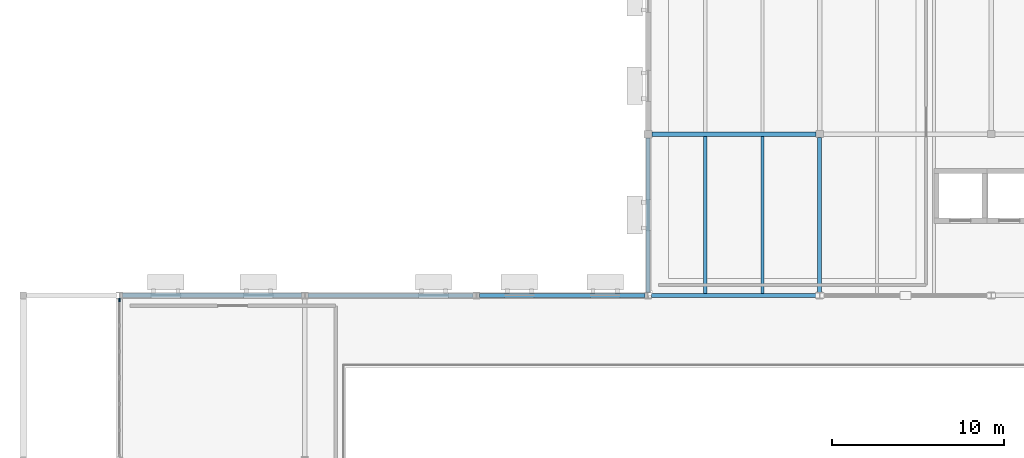
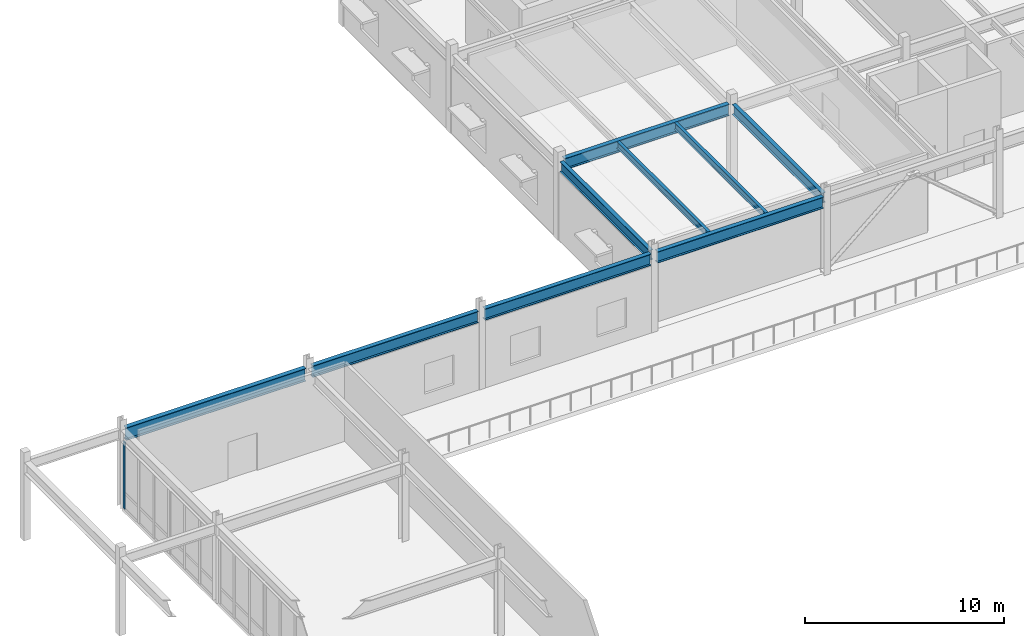
# One storey, part 22 of 68: 9 beams, 1 member, 1 element without a shape of its own.
"""IFC4 building model written with IfcOpenShell, lengths in metres."""

from ifc_helpers import new_model, si_unit, direction, frame, origin, origin_2d, place, context, subcontext, project, spatial, rectangle, i_section, extrude, material, material_profile, profile_set, type_object, element, aggregate, save


model = new_model("IFC4")

# Units and contexts
model_context = context("Model", 3, precision=1e-05, world=origin(), true_north=direction((0.0, 1.0)))
body_context = subcontext(model_context, "Body", "Model", "MODEL_VIEW")
ifc_project = project(units=[si_unit("LENGTHUNIT", "METRE"), si_unit("AREAUNIT", "SQUARE_METRE"), si_unit("VOLUMEUNIT", "CUBIC_METRE"), si_unit("PLANEANGLEUNIT", "RADIAN"), si_unit("MASSUNIT", "GRAM", prefix="KILO")], contexts=[model_context])

# Site, building, storey
site_placement = place(None, origin())
site = spatial("IfcSite", under=ifc_project, at=site_placement, CompositionType="ELEMENT")
building_placement = place(site_placement, origin())
building = spatial("IfcBuilding", under=site, at=building_placement, Name="Veldera Park Congress Hotel", CompositionType="ELEMENT")
storey_placement = place(building_placement, frame((0.0, 0.0, 10.800048828125)))
storey = spatial("IfcBuildingStorey", under=building, at=storey_placement, Name="L02", CompositionType="ELEMENT", Elevation=10.800048828125)

# Beams
ifc_material_1 = material(Name="Steel ASTM A992 Gr.50", Category="steel")
ifc_material_profile_1 = material_profile(ifc_material_1, i_section(OverallWidth=0.22998046875, OverallDepth=0.616943359375, WebThickness=0.01318359375, FlangeThickness=0.022216796875, at=origin_2d()), Name="W24X94")
ifc_profile_set_1 = profile_set([ifc_material_profile_1], Name="Steel ASTM A992 Gr.50")
beam_type_1 = type_object("IfcBeamType", Name="BM-W24B", PredefinedType="BEAM", material=ifc_profile_set_1)
beam_1_placement = place(storey_placement, frame((-47.39990234375, 27.18603515625, 4.491455078125), z_axis=(0.0, 1.0, 0.0), x_axis=(-1.0, 0.0, 0.0)))
element("IfcBeam", 1, at=beam_1_placement, inside=storey, type_object=beam_type_1, Name="L02 Girder BM-W24B 950", PredefinedType="BEAM", context=body_context, shape_type="SweptSolid", body=[
    extrude(i_section(OverallWidth=0.22998046875, OverallDepth=0.616943359375, WebThickness=0.01318359375, FlangeThickness=0.022216796875, at=origin_2d()), origin(), (0.0, 0.0, 1.0), 8.989013671875),
])
beam_2_placement = place(storey_placement, frame((-37.39990234375, 27.18603515625, 4.491455078125), z_axis=(0.0, 1.0, 0.0), x_axis=(-1.0, 0.0, 0.0)))
element("IfcBeam", 2, at=beam_2_placement, inside=storey, type_object=beam_type_1, Name="L02 Girder BM-W24B 956", PredefinedType="BEAM", context=body_context, shape_type="SweptSolid", body=[
    extrude(i_section(OverallWidth=0.22998046875, OverallDepth=0.616943359375, WebThickness=0.01318359375, FlangeThickness=0.022216796875, at=origin_2d()), origin(), (0.0, 0.0, 1.0), 9.00390625),
])
ifc_material_profile_2 = material_profile(ifc_material_1, i_section(OverallWidth=0.25390625, OverallDepth=0.700927734375, WebThickness=0.015380859375, FlangeThickness=0.02783203125, at=origin_2d()), Name="W27X129")
ifc_profile_set_2 = profile_set([ifc_material_profile_2], Name="Steel ASTM A992 Gr.50")
beam_type_2 = type_object("IfcBeamType", Name="BM-W27B", PredefinedType="BEAM", material=ifc_profile_set_2)
beam_3_placement = place(storey_placement, frame((-67.200439453125, 27.0, 4.449462890625), z_axis=(1.0, 0.0, 0.0), x_axis=(0.0, 1.0, 0.0)))
element("IfcBeam", 3, at=beam_3_placement, inside=storey, type_object=beam_type_2, Name="L02 Girder BM-W27B 877", PredefinedType="BEAM", context=body_context, shape_type="SweptSolid", body=[
    extrude(i_section(OverallWidth=0.25390625, OverallDepth=0.700927734375, WebThickness=0.015380859375, FlangeThickness=0.02783203125, at=origin_2d()), origin(), (0.0, 0.0, 1.0), 9.613525390625),
])
for number, where, z_axis, x_axis, name in (
    (4, (-57.212890625, 27.0, 4.449462890625), (1.0, 0.0, 0.0), (0.0, 1.0, 0.0), "L02 Girder BM-W27B 878"),
    (5, (-47.212890625, 27.0, 4.449462890625), (1.0, 0.0, 0.0), (0.0, 1.0, 0.0), "L02 Girder BM-W27B 879"),
):
    element("IfcBeam", number, at=place(storey_placement, frame(where, z_axis=z_axis, x_axis=x_axis)), inside=storey, type_object=beam_type_2, Name=name, PredefinedType="BEAM", context=body_context, shape_type="SweptSolid", body=[
        extrude(i_section(OverallWidth=0.25390625, OverallDepth=0.700927734375, WebThickness=0.015380859375, FlangeThickness=0.02783203125, at=origin_2d()), origin(), (0.0, 0.0, 1.0), 9.6259765625),
    ])
beam_4_placement = place(storey_placement, frame((-47.175048828125, 36.39990234375, 4.449462890625), z_axis=(1.0, 0.0, 0.0), x_axis=(0.0, 1.0, 0.0)))
element("IfcBeam", 6, at=beam_4_placement, inside=storey, type_object=beam_type_2, Name="L02 Girder BM-W27B 893", PredefinedType="BEAM", context=body_context, shape_type="SweptSolid", body=[
    extrude(i_section(OverallWidth=0.25390625, OverallDepth=0.700927734375, WebThickness=0.015380859375, FlangeThickness=0.02783203125, at=origin_2d()), origin(), (0.0, 0.0, 1.0), 9.56494140625),
])
ifc_material_profile_3 = material_profile(ifc_material_1, i_section(OverallWidth=0.26708984375, OverallDepth=0.779052734375, WebThickness=0.0166015625, FlangeThickness=0.030029296875, at=origin_2d()), Name="W30X148")
ifc_profile_set_3 = profile_set([ifc_material_profile_3], Name="Steel ASTM A992 Gr.50")
beam_type_3 = type_object("IfcBeamType", Name="BM-W30", PredefinedType="BEAM", material=ifc_profile_set_3)
beam_5_placement = place(storey_placement, frame((-78.013427734375, 27.0, 4.410400390625), z_axis=(1.0, 0.0, 0.0), x_axis=(0.0, 1.0, 0.0)))
element("IfcBeam", 7, at=beam_5_placement, inside=storey, type_object=beam_type_3, Name="L02 Girder BM-W30 876", PredefinedType="BEAM", context=body_context, shape_type="SweptSolid", body=[
    extrude(i_section(OverallWidth=0.26708984375, OverallDepth=0.779052734375, WebThickness=0.0166015625, FlangeThickness=0.030029296875, at=origin_2d()), origin(), (0.0, 0.0, 1.0), 10.413818359375),
])

# Curtain wall, member
ifc_material_2 = material(Name="Low-E Triple Insulating Glass Unit (SHGC 0.22)", Category="glass")
curtain_wall_type = type_object("IfcCurtainWallType", Name="CW-CNG", PredefinedType="NOTDEFINED", material=ifc_material_2)
curtain_wall_placement = place(storey_placement, origin())
curtain_wall = element("IfcCurtainWall", 8, at=curtain_wall_placement, inside=storey, type_object=curtain_wall_type, Name="L02 Curtain Wall CW3-V1W-L02-045", PredefinedType="NOTDEFINED")
ifc_material_3 = material(Name="Anodised Aluminium Alloy 6063-T6", Category="aluminium")
ifc_material_profile_4 = material_profile(ifc_material_3, rectangle(XDim=0.074951171875, YDim=0.199951171875, at=origin_2d()), Name="ALU 75x200")
ifc_profile_set_4 = profile_set([ifc_material_profile_4], Name="Anodised Aluminium Alloy 6063-T6")
member_type = type_object("IfcMemberType", Name="CWM-200", PredefinedType="MULLION", material=ifc_profile_set_4)
member_placement = place(storey_placement, frame((-78.199951171875, 26.738525390625, 0.0), z_axis=(0.0, 0.0, 1.0), x_axis=(1.0, 0.0, 0.0)))
member = element("IfcMember", 9, at=member_placement, type_object=member_type, Name="CW-CNG mullion 1", PredefinedType="MULLION", context=body_context, shape_type="SweptSolid", body=[
    extrude(rectangle(XDim=0.074951171875, YDim=0.199951171875, at=origin_2d()), origin(), (0.0, 0.0, 1.0), 4.098876953125),
])
aggregate(curtain_wall, [member])

# Beams
ifc_material_profile_5 = material_profile(ifc_material_1, i_section(OverallWidth=0.178955078125, OverallDepth=0.409912109375, WebThickness=0.0087890625, FlangeThickness=0.014404296875, at=origin_2d()), Name="W16X45")
ifc_profile_set_5 = profile_set([ifc_material_profile_5], Name="Steel ASTM A992 Gr.50")
beam_type_4 = type_object("IfcBeamType", Name="JST-W16", PredefinedType="JOIST", material=ifc_profile_set_5)
for number, where, z_axis, x_axis, name in (
    (10, (-44.066650390625, 27.126953125, 4.594970703125), (0.0, 1.0, 0.0), (-1.0, 0.0, 0.0), "L02 Floor Joist JST-W16 1046"),
    (11, (-40.7333984375, 27.126953125, 4.594970703125), (0.0, 1.0, 0.0), (-1.0, 0.0, 0.0), "L02 Floor Joist JST-W16 1047"),
):
    element("IfcBeam", number, at=place(storey_placement, frame(where, z_axis=z_axis, x_axis=x_axis)), inside=storey, type_object=beam_type_4, Name=name, PredefinedType="JOIST", context=body_context, shape_type="SweptSolid", body=[
        extrude(i_section(OverallWidth=0.178955078125, OverallDepth=0.409912109375, WebThickness=0.0087890625, FlangeThickness=0.014404296875, at=origin_2d()), origin(), (0.0, 0.0, 1.0), 9.14599609375),
    ])

save(model, "model.ifc")
